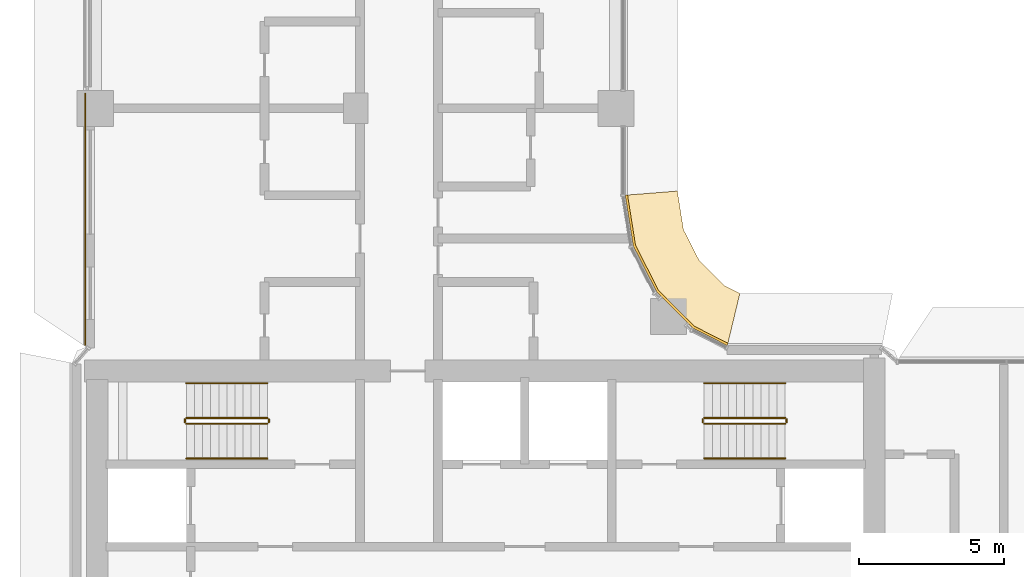
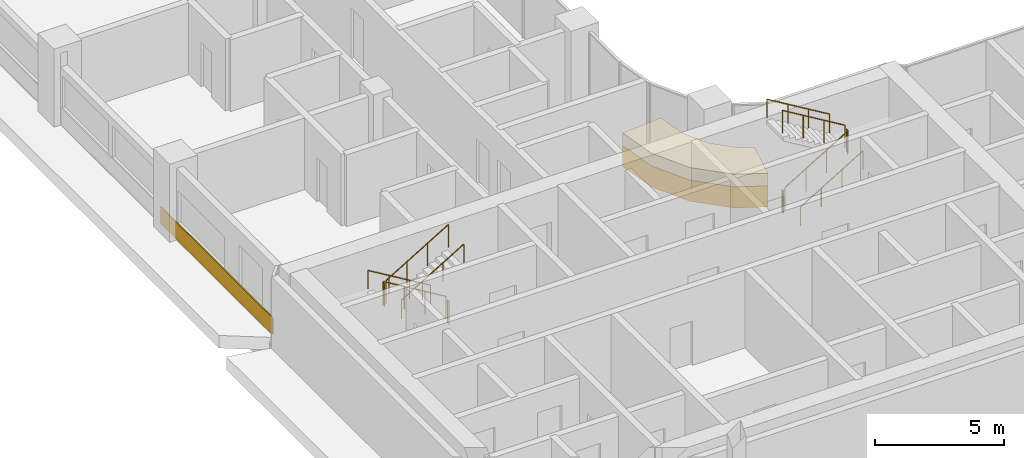
# One storey, part 26 of 33: 12 railings, 3 coverings.
"""IFC4 building model written with IfcOpenShell, lengths in metres."""

import ifcopenshell
import ifcopenshell.guid

model = None  # the IFC model being written
_history = None  # IfcOwnerHistory: only IFC2X3 demands one
_inside = {}  # id of a spatial element -> (the spatial element, [elements in it])
_under = {}  # id of a project, library or spatial element -> (it, [spatial elements below it])
_declared = {}  # id of a project -> (the project, [libraries it declares])
_typed = {}  # id of a type object -> (the type object, [elements of that type])
_made_of = {}  # id of a material, layer set ... -> (it, [elements and type objects made of it])


def new_model(schema):
    """Start an empty IFC model of exactly this schema.

    Asked for "IFC4X3", IfcOpenShell would pick the latest addendum, in which some entities
    have other attributes; the version numbers below select the first issue.
    IFC2X3 requires an IfcOwnerHistory on every rooted entity: one is made here for all.
    """
    global model, _history
    if schema == "IFC4X3":
        model = ifcopenshell.file(schema_version=(4, 3, 0, 0))
    else:
        model = ifcopenshell.file(schema=schema)
    _inside.clear()
    _under.clear()
    _declared.clear()
    _typed.clear()
    _made_of.clear()
    _history = None
    if model.schema == "IFC2X3":
        org = make("IfcOrganization", Name="unknown")
        user = make(
            "IfcPersonAndOrganization",
            ThePerson=make("IfcPerson", FamilyName="unknown"),
            TheOrganization=org,
        )
        app = make(
            "IfcApplication",
            ApplicationDeveloper=org,
            Version="unknown",
            ApplicationFullName="unknown",
            ApplicationIdentifier="unknown",
        )
        _history = make(
            "IfcOwnerHistory",
            OwningUser=user,
            OwningApplication=app,
            ChangeAction="ADDED",
            CreationDate=0,
        )
    return model


def make(cls, **values):
    """One entity of the class cls with the attributes given. An attribute that is None is left unset."""
    return model.create_entity(
        cls, **{name: value for name, value in values.items() if value is not None}
    )


def rooted(cls, **values):
    """An entity with a GlobalId (a new one), such as an element, a storey or a relation."""
    return make(cls, GlobalId=ifcopenshell.guid.new(), OwnerHistory=_history, **values)


def si_unit(unit_type, name, prefix=None):
    """IfcSIUnit, for example si_unit("LENGTHUNIT", "METRE", prefix="MILLI")."""
    return make("IfcSIUnit", UnitType=unit_type, Prefix=prefix, Name=name)


def assignment(units):
    """IfcUnitAssignment: the units of a project."""
    return None if units is None else make("IfcUnitAssignment", Units=units)


def point(xyz):
    """IfcCartesianPoint."""
    return None if xyz is None else make("IfcCartesianPoint", Coordinates=xyz)


def direction(xyz):
    """IfcDirection."""
    return None if xyz is None else make("IfcDirection", DirectionRatios=xyz)


def frame(location, z_axis=None, x_axis=None):
    """IfcAxis2Placement3D, a coordinate frame: its origin and axes. An axis left out is left unset."""
    return make(
        "IfcAxis2Placement3D",
        Location=point(location),
        Axis=direction(z_axis),
        RefDirection=direction(x_axis),
    )


def frame_2d(location, x_axis=None):
    """IfcAxis2Placement2D, a coordinate frame in the plane: its origin and x axis."""
    return make(
        "IfcAxis2Placement2D", Location=point(location), RefDirection=direction(x_axis)
    )


def origin():
    """The frame at (0, 0, 0) with its axes left unset."""
    return frame((0.0, 0.0, 0.0))


def origin_2d():
    """The frame at (0, 0) in the plane with its x axis left unset."""
    return frame_2d((0.0, 0.0))


def place(relative_to, where):
    """IfcLocalPlacement: puts the frame where relative to a parent placement (None: the world)."""
    return make(
        "IfcLocalPlacement", PlacementRelTo=relative_to, RelativePlacement=where
    )


def context(
    kind, dimensions, precision=None, world=None, true_north=None, identifier=None
):
    """IfcGeometricRepresentationContext, for example the 3D "Model" context."""
    return make(
        "IfcGeometricRepresentationContext",
        ContextIdentifier=identifier,
        ContextType=kind,
        CoordinateSpaceDimension=dimensions,
        Precision=precision,
        WorldCoordinateSystem=world,
        TrueNorth=true_north,
    )


def subcontext(parent, identifier, kind, view, scale=None):
    """IfcGeometricRepresentationSubContext, for example "Body" below "Model"."""
    return make(
        "IfcGeometricRepresentationSubContext",
        ContextIdentifier=identifier,
        ContextType=kind,
        ParentContext=parent,
        TargetScale=scale,
        TargetView=view,
    )


def project(units=None, contexts=None):
    """IfcProject with its units and contexts."""
    return rooted(
        "IfcProject",
        Name="project",
        RepresentationContexts=contexts,
        UnitsInContext=assignment(units),
    )


def spatial(cls, under=None, at=None, **own):
    """A site, building, storey or space (cls), placed at a placement, below another one or the project."""
    s = rooted(cls, ObjectPlacement=at, **own)
    if under is not None:
        _under.setdefault(under.id(), (under, []))[1].append(s)
    return s


def polyline(points):
    """IfcPolyline through the points."""
    return make("IfcPolyline", Points=[point(p) for p in points])


def profile(cls, at=None, kind="AREA", **sizes):
    """A parametric profile (cls). Its sizes go by their IFC names, for example OverallWidth=200.0."""
    return make(cls, ProfileType=kind, Position=at, **sizes)


def rectangle(**sizes):
    """IfcRectangleProfileDef."""
    return profile("IfcRectangleProfileDef", **sizes)


def circle(**sizes):
    """IfcCircleProfileDef."""
    return profile("IfcCircleProfileDef", **sizes)


def outline(outer, holes=None, kind="AREA"):
    """IfcArbitraryClosedProfileDef: a profile drawn as a closed curve; with holes, ...WithVoids."""
    if holes is None:
        return make("IfcArbitraryClosedProfileDef", ProfileType=kind, OuterCurve=outer)
    return make(
        "IfcArbitraryProfileDefWithVoids",
        ProfileType=kind,
        OuterCurve=outer,
        InnerCurves=holes,
    )


def extrude(swept, where, along, depth):
    """IfcExtrudedAreaSolid: the profile swept, set in the frame where, extruded along a direction by depth."""
    return make(
        "IfcExtrudedAreaSolid",
        SweptArea=swept,
        Position=where,
        ExtrudedDirection=direction(along),
        Depth=depth,
    )


def shape(context_of_items, identifier, shape_type, items):
    """IfcShapeRepresentation: the items that make up one representation, for example the "Body"."""
    return make(
        "IfcShapeRepresentation",
        ContextOfItems=context_of_items,
        RepresentationIdentifier=identifier,
        RepresentationType=shape_type,
        Items=items,
    )


def material(Name=None, Category=None):
    """IfcMaterial."""
    return make("IfcMaterial", Name=Name, Category=Category)


def layer(
    of_material, thickness, ventilated=None, Name=None, Category=None, Priority=None
):
    """IfcMaterialLayer: one layer of a wall or slab, of a material (None: an air gap)."""
    return make(
        "IfcMaterialLayer",
        Material=of_material,
        LayerThickness=thickness,
        IsVentilated=ventilated,
        Name=Name,
        Category=Category,
        Priority=Priority,
    )


def layer_set(layers, Name=None):
    """IfcMaterialLayerSet."""
    return make("IfcMaterialLayerSet", MaterialLayers=layers, LayerSetName=Name)


def made_of(thing, what):
    """Note that an element or type object is made of a material, layer set ...; save() writes the relation."""
    if what is not None:
        _made_of.setdefault(what.id(), (what, []))[1].append(thing)
    return thing


def type_object(cls, material=None, **own):
    """A type object (cls), such as IfcWallType, which elements share."""
    return made_of(rooted(cls, **own), material)


def element(
    cls,
    number,
    at=None,
    inside=None,
    cuts=None,
    type_object=None,
    material=None,
    context=None,
    identifier="Body",
    shape_type=None,
    held_by="IfcProductDefinitionShape",
    body=None,
    shapes=None,
    **own,
):
    """One element of the class cls, such as IfcWall. Its Tag is "e" and its number.

    at: its placement. inside: the storey or other place that contains it. cuts: it is an
    opening in that element (IfcRelVoidsElement). A single representation is given by context,
    identifier, shape_type and body (its items); several are given by shapes. held_by: the class
    of the entity that holds the representations. save() writes the other relations.
    """
    e = rooted(cls, Tag="e%d" % number, ObjectPlacement=at, **own)
    if body is not None:
        shapes = [shape(context, identifier, shape_type, body)]
    if shapes is not None:
        e.Representation = make(held_by, Representations=shapes)
    if inside is not None:
        _inside.setdefault(inside.id(), (inside, []))[1].append(e)
    if cuts is not None:
        rooted(
            "IfcRelVoidsElement", RelatingBuildingElement=cuts, RelatedOpeningElement=e
        )
    if type_object is not None:
        _typed.setdefault(type_object.id(), (type_object, []))[1].append(e)
    return made_of(e, material)


def aggregate(whole, parts):
    """IfcRelAggregates: a whole, such as a stair, and the parts it consists of."""
    return rooted("IfcRelAggregates", RelatingObject=whole, RelatedObjects=parts)


def save(model, path):
    """Write the relations noted so far, then the file.

    IfcRelAggregates (storeys below a building ...), IfcRelContainedInSpatialStructure (elements
    in a storey), IfcRelDefinesByType, IfcRelAssociatesMaterial and IfcRelDeclares: one each for
    every whole, place, type object, material and project.
    """
    for whole, parts in _under.values():
        aggregate(whole, parts)
    for where, things in _inside.values():
        rooted(
            "IfcRelContainedInSpatialStructure",
            RelatedElements=things,
            RelatingStructure=where,
        )
    for kind, things in _typed.values():
        rooted("IfcRelDefinesByType", RelatedObjects=things, RelatingType=kind)
    for what, things in _made_of.values():
        rooted("IfcRelAssociatesMaterial", RelatedObjects=things, RelatingMaterial=what)
    for by, libraries in _declared.values():
        rooted("IfcRelDeclares", RelatingContext=by, RelatedDefinitions=libraries)
    model.write(path)


model = new_model("IFC4")

# Units and contexts
model_context = context("Model", 3, precision=1e-05, world=origin(), true_north=direction((0.0, 1.0)))
body_context = subcontext(model_context, "Body", "Model", "MODEL_VIEW")
ifc_project = project(units=[si_unit("LENGTHUNIT", "METRE"), si_unit("AREAUNIT", "SQUARE_METRE"), si_unit("VOLUMEUNIT", "CUBIC_METRE"), si_unit("PLANEANGLEUNIT", "RADIAN"), si_unit("MASSUNIT", "GRAM", prefix="KILO")], contexts=[model_context])

# Site, building, storey
site_placement = place(None, origin())
site = spatial("IfcSite", under=ifc_project, at=site_placement, CompositionType="ELEMENT")
building_placement = place(site_placement, origin())
building = spatial("IfcBuilding", under=site, at=building_placement, Name="Ogive Portal Towers", CompositionType="ELEMENT")
storey_placement = place(building_placement, frame((0.0, 0.0, 98.199951171875)))
storey = spatial("IfcBuildingStorey", under=building, at=storey_placement, Name="L23", CompositionType="ELEMENT", Elevation=98.199951171875)

# Railings
ifc_material_1 = material(Name="Stainless steel balustrade", Category="steel")
railing_type_1 = type_object("IfcRailingType", Name="INT-GUARD", PredefinedType="GUARDRAIL", material=ifc_material_1)
railing_1_placement = place(storey_placement, frame((37.449951171875, 37.800048828125, 0.168212890625)))
element("IfcRailing", 1, at=railing_1_placement, inside=storey, type_object=railing_type_1, Name="L23 ST-A1 stair guard 1", PredefinedType="GUARDRAIL", context=body_context, shape_type="SweptSolid", body=[
    extrude(circle(Radius=0.02392578125, at=origin_2d()), frame((0.0, 0.0, 1.076171875), z_axis=(-0.857242210791, 0.0, 0.514913383045), x_axis=(0.0, -1.0, 0.0)), (0.0, 0.0, 1.0), 3.266357421875),
    extrude(circle(Radius=0.02099609375, at=origin_2d()), origin(), (0.0, 0.0, 1.0), 1.052001953125),
    extrude(circle(Radius=0.02099609375, at=origin_2d()), frame((-0.933349609375, 0.0, 0.560546875)), (0.0, 0.0, 1.0), 1.052001953125),
    extrude(circle(Radius=0.02099609375, at=origin_2d()), frame((-1.86669921875, 0.0, 1.121337890625)), (0.0, 0.0, 1.0), 1.052001953125),
    extrude(circle(Radius=0.02099609375, at=origin_2d()), frame((-2.800048828125, 0.0, 1.681884765625)), (0.0, 0.0, 1.0), 1.052001953125),
])
railing_2_placement = place(storey_placement, frame((34.60009765625, 37.75, 1.85009765625)))
element("IfcRailing", 2, at=railing_2_placement, inside=storey, type_object=railing_type_1, Name="L23 ST-A1 stair guard 2", PredefinedType="GUARDRAIL", context=body_context, shape_type="SweptSolid", body=[
    extrude(circle(Radius=0.02392578125, at=origin_2d()), frame((0.0, 0.0, 1.076171875), z_axis=(0.0, -1.0, 0.0), x_axis=(1.0, 0.0, 0.0)), (0.0, 0.0, 1.0), 0.10009765625),
    extrude(circle(Radius=0.02099609375, at=origin_2d()), origin(), (0.0, 0.0, 1.0), 1.052001953125),
    extrude(circle(Radius=0.02099609375, at=origin_2d()), frame((0.0, -0.10009765625, 0.0)), (0.0, 0.0, 1.0), 1.052001953125),
])
railing_3_placement = place(storey_placement, frame((34.64990234375, 37.60009765625, 2.018310546875)))
element("IfcRailing", 3, at=railing_3_placement, inside=storey, type_object=railing_type_1, Name="L23 ST-A1 stair guard 3", PredefinedType="GUARDRAIL", context=body_context, shape_type="SweptSolid", body=[
    extrude(circle(Radius=0.02392578125, at=origin_2d()), frame((0.0, 0.0, 1.076171875), z_axis=(0.857275202839, 0.0, 0.514858452973), x_axis=(0.0, 1.0, 0.0)), (0.0, 0.0, 1.0), 3.26611328125),
    extrude(circle(Radius=0.02099609375, at=origin_2d()), origin(), (0.0, 0.0, 1.0), 1.052001953125),
    extrude(circle(Radius=0.02099609375, at=origin_2d()), frame((0.933349609375, 0.0, 0.560546875)), (0.0, 0.0, 1.0), 1.052001953125),
    extrude(circle(Radius=0.02099609375, at=origin_2d()), frame((1.86669921875, 0.0, 1.12109375)), (0.0, 0.0, 1.0), 1.052001953125),
    extrude(circle(Radius=0.02099609375, at=origin_2d()), frame((2.800048828125, 0.0, 1.681640625)), (0.0, 0.0, 1.0), 1.052001953125),
])
railing_4_placement = place(storey_placement, frame((37.5, 37.75, 0.0)))
element("IfcRailing", 4, at=railing_4_placement, inside=storey, type_object=railing_type_1, Name="L23 ST-A1 stair guard 4", PredefinedType="GUARDRAIL", context=body_context, shape_type="SweptSolid", body=[
    extrude(circle(Radius=0.02392578125, at=origin_2d()), frame((0.0, 0.0, 1.076171875), z_axis=(0.0, -1.0, 0.0), x_axis=(1.0, 0.0, 0.0)), (0.0, 0.0, 1.0), 0.10009765625),
    extrude(circle(Radius=0.02099609375, at=origin_2d()), origin(), (0.0, 0.0, 1.0), 1.052001953125),
    extrude(circle(Radius=0.02099609375, at=origin_2d()), frame((0.0, -0.10009765625, 0.0)), (0.0, 0.0, 1.0), 1.052001953125),
])
railing_5_placement = place(storey_placement, frame((52.550048828125, 37.60009765625, 0.168212890625)))
element("IfcRailing", 5, at=railing_5_placement, inside=storey, type_object=railing_type_1, Name="L23 ST-A2 stair guard 1", PredefinedType="GUARDRAIL", context=body_context, shape_type="SweptSolid", body=[
    extrude(circle(Radius=0.02392578125, at=origin_2d()), frame((0.0, 0.0, 1.076171875), z_axis=(0.857242210791, 0.0, 0.514913383045), x_axis=(0.0, 1.0, 0.0)), (0.0, 0.0, 1.0), 3.266357421875),
    extrude(circle(Radius=0.02099609375, at=origin_2d()), origin(), (0.0, 0.0, 1.0), 1.052001953125),
    extrude(circle(Radius=0.02099609375, at=origin_2d()), frame((0.933349609375, 0.0, 0.560546875)), (0.0, 0.0, 1.0), 1.052001953125),
    extrude(circle(Radius=0.02099609375, at=origin_2d()), frame((1.86669921875, 0.0, 1.121337890625)), (0.0, 0.0, 1.0), 1.052001953125),
    extrude(circle(Radius=0.02099609375, at=origin_2d()), frame((2.800048828125, 0.0, 1.681884765625)), (0.0, 0.0, 1.0), 1.052001953125),
])
railing_6_placement = place(storey_placement, frame((55.39990234375, 37.64990234375, 1.85009765625)))
element("IfcRailing", 6, at=railing_6_placement, inside=storey, type_object=railing_type_1, Name="L23 ST-A2 stair guard 2", PredefinedType="GUARDRAIL", context=body_context, shape_type="SweptSolid", body=[
    extrude(circle(Radius=0.02392578125, at=origin_2d()), frame((0.0, 0.0, 1.076171875), z_axis=(0.0, 1.0, 0.0), x_axis=(-1.0, 0.0, 0.0)), (0.0, 0.0, 1.0), 0.10009765625),
    extrude(circle(Radius=0.02099609375, at=origin_2d()), origin(), (0.0, 0.0, 1.0), 1.052001953125),
    extrude(circle(Radius=0.02099609375, at=origin_2d()), frame((0.0, 0.10009765625, 0.0)), (0.0, 0.0, 1.0), 1.052001953125),
])
railing_7_placement = place(storey_placement, frame((55.35009765625, 37.800048828125, 2.018310546875)))
element("IfcRailing", 7, at=railing_7_placement, inside=storey, type_object=railing_type_1, Name="L23 ST-A2 stair guard 3", PredefinedType="GUARDRAIL", context=body_context, shape_type="SweptSolid", body=[
    extrude(circle(Radius=0.02392578125, at=origin_2d()), frame((0.0, 0.0, 1.076171875), z_axis=(-0.857275202839, 0.0, 0.514858452973), x_axis=(0.0, -1.0, 0.0)), (0.0, 0.0, 1.0), 3.26611328125),
    extrude(circle(Radius=0.02099609375, at=origin_2d()), origin(), (0.0, 0.0, 1.0), 1.052001953125),
    extrude(circle(Radius=0.02099609375, at=origin_2d()), frame((-0.933349609375, 0.0, 0.560546875)), (0.0, 0.0, 1.0), 1.052001953125),
    extrude(circle(Radius=0.02099609375, at=origin_2d()), frame((-1.86669921875, 0.0, 1.12109375)), (0.0, 0.0, 1.0), 1.052001953125),
    extrude(circle(Radius=0.02099609375, at=origin_2d()), frame((-2.800048828125, 0.0, 1.681640625)), (0.0, 0.0, 1.0), 1.052001953125),
])
railing_8_placement = place(storey_placement, frame((52.5, 37.64990234375, 0.0)))
element("IfcRailing", 8, at=railing_8_placement, inside=storey, type_object=railing_type_1, Name="L23 ST-A2 stair guard 4", PredefinedType="GUARDRAIL", context=body_context, shape_type="SweptSolid", body=[
    extrude(circle(Radius=0.02392578125, at=origin_2d()), frame((0.0, 0.0, 1.076171875), z_axis=(0.0, 1.0, 0.0), x_axis=(-1.0, 0.0, 0.0)), (0.0, 0.0, 1.0), 0.10009765625),
    extrude(circle(Radius=0.02099609375, at=origin_2d()), origin(), (0.0, 0.0, 1.0), 1.052001953125),
    extrude(circle(Radius=0.02099609375, at=origin_2d()), frame((0.0, 0.10009765625, 0.0)), (0.0, 0.0, 1.0), 1.052001953125),
])
ifc_material_2 = material(Name="Stainless steel handrail", Category="steel")
railing_type_2 = type_object("IfcRailingType", Name="INT-HANDRAIL", PredefinedType="HANDRAIL", material=ifc_material_2)
railing_9_placement = place(storey_placement, frame((37.449951171875, 39.0, 0.168212890625)))
element("IfcRailing", 9, at=railing_9_placement, inside=storey, type_object=railing_type_2, Name="L23 ST-A1 stair handrail 1", PredefinedType="HANDRAIL", context=body_context, shape_type="SweptSolid", body=[
    extrude(circle(Radius=0.02392578125, at=origin_2d()), frame((0.0, 0.0, 0.8759765625), z_axis=(-0.857242210791, 0.0, 0.514913383045), x_axis=(0.0, -1.0, 0.0)), (0.0, 0.0, 1.0), 3.266357421875),
    extrude(circle(Radius=0.02099609375, at=origin_2d()), origin(), (0.0, 0.0, 1.0), 0.851806640625),
    extrude(circle(Radius=0.02099609375, at=origin_2d()), frame((-0.933349609375, 0.0, 0.560546875)), (0.0, 0.0, 1.0), 0.851806640625),
    extrude(circle(Radius=0.02099609375, at=origin_2d()), frame((-1.86669921875, 0.0, 1.121337890625)), (0.0, 0.0, 1.0), 0.851806640625),
    extrude(circle(Radius=0.02099609375, at=origin_2d()), frame((-2.800048828125, 0.0, 1.681884765625)), (0.0, 0.0, 1.0), 0.851806640625),
])
railing_10_placement = place(storey_placement, frame((34.64990234375, 36.39990234375, 2.018310546875)))
element("IfcRailing", 10, at=railing_10_placement, inside=storey, type_object=railing_type_2, Name="L23 ST-A1 stair handrail 2", PredefinedType="HANDRAIL", context=body_context, shape_type="SweptSolid", body=[
    extrude(circle(Radius=0.02392578125, at=origin_2d()), frame((0.0, 0.0, 0.8759765625), z_axis=(0.857275202839, 0.0, 0.514858452973), x_axis=(0.0, 1.0, 0.0)), (0.0, 0.0, 1.0), 3.26611328125),
    extrude(circle(Radius=0.02099609375, at=origin_2d()), origin(), (0.0, 0.0, 1.0), 0.851806640625),
    extrude(circle(Radius=0.02099609375, at=origin_2d()), frame((0.933349609375, 0.0, 0.560546875)), (0.0, 0.0, 1.0), 0.851806640625),
    extrude(circle(Radius=0.02099609375, at=origin_2d()), frame((1.86669921875, 0.0, 1.12109375)), (0.0, 0.0, 1.0), 0.851806640625),
    extrude(circle(Radius=0.02099609375, at=origin_2d()), frame((2.800048828125, 0.0, 1.681640625)), (0.0, 0.0, 1.0), 0.851806640625),
])
railing_11_placement = place(storey_placement, frame((52.550048828125, 36.39990234375, 0.168212890625)))
element("IfcRailing", 11, at=railing_11_placement, inside=storey, type_object=railing_type_2, Name="L23 ST-A2 stair handrail 1", PredefinedType="HANDRAIL", context=body_context, shape_type="SweptSolid", body=[
    extrude(circle(Radius=0.02392578125, at=origin_2d()), frame((0.0, 0.0, 0.8759765625), z_axis=(0.857242210791, 0.0, 0.514913383045), x_axis=(0.0, 1.0, 0.0)), (0.0, 0.0, 1.0), 3.266357421875),
    extrude(circle(Radius=0.02099609375, at=origin_2d()), origin(), (0.0, 0.0, 1.0), 0.851806640625),
    extrude(circle(Radius=0.02099609375, at=origin_2d()), frame((0.933349609375, 0.0, 0.560546875)), (0.0, 0.0, 1.0), 0.851806640625),
    extrude(circle(Radius=0.02099609375, at=origin_2d()), frame((1.86669921875, 0.0, 1.121337890625)), (0.0, 0.0, 1.0), 0.851806640625),
    extrude(circle(Radius=0.02099609375, at=origin_2d()), frame((2.800048828125, 0.0, 1.681884765625)), (0.0, 0.0, 1.0), 0.851806640625),
])
railing_12_placement = place(storey_placement, frame((55.35009765625, 39.0, 2.018310546875)))
element("IfcRailing", 12, at=railing_12_placement, inside=storey, type_object=railing_type_2, Name="L23 ST-A2 stair handrail 2", PredefinedType="HANDRAIL", context=body_context, shape_type="SweptSolid", body=[
    extrude(circle(Radius=0.02392578125, at=origin_2d()), frame((0.0, 0.0, 0.8759765625), z_axis=(-0.857275202839, 0.0, 0.514858452973), x_axis=(0.0, -1.0, 0.0)), (0.0, 0.0, 1.0), 3.26611328125),
    extrude(circle(Radius=0.02099609375, at=origin_2d()), origin(), (0.0, 0.0, 1.0), 0.851806640625),
    extrude(circle(Radius=0.02099609375, at=origin_2d()), frame((-0.933349609375, 0.0, 0.560546875)), (0.0, 0.0, 1.0), 0.851806640625),
    extrude(circle(Radius=0.02099609375, at=origin_2d()), frame((-1.86669921875, 0.0, 1.12109375)), (0.0, 0.0, 1.0), 0.851806640625),
    extrude(circle(Radius=0.02099609375, at=origin_2d()), frame((-2.800048828125, 0.0, 1.681640625)), (0.0, 0.0, 1.0), 0.851806640625),
])

# Coverings
ifc_material_3 = material(Name="Limestone cladding on lightweight block wall", Category="masonry")
ifc_layer_1 = layer(ifc_material_3, 0.050048828125)
ifc_layer_set_1 = layer_set([ifc_layer_1], Name="SCREEN PERFORATED STONE")
covering_type_1 = type_object("IfcCoveringType", Name="SCREEN PERFORATED STONE", PredefinedType="CLADDING", material=ifc_layer_set_1)
covering_1_placement = place(storey_placement, frame((31.155029296875, 44.672607421875, 0.10009765625), z_axis=(0.0, 0.0, 1.0), x_axis=(0.0, -1.0, 0.0)))
element("IfcCovering", 13, at=covering_1_placement, inside=storey, type_object=covering_type_1, Name="Tracery screen", PredefinedType="CLADDING", context=body_context, shape_type="SweptSolid", body=[
    extrude(rectangle(XDim=8.70458984375, YDim=0.050048828125, at=origin_2d()), origin(), (0.0, 0.0, 1.0), 0.800048828125),
])
ifc_layer_2 = layer(ifc_material_3, 0.080078125)
ifc_layer_set_2 = layer_set([ifc_layer_2], Name="STONE SPANDREL 80")
covering_type_2 = type_object("IfcCoveringType", Name="STONE SPANDREL 80", PredefinedType="CLADDING", material=ifc_layer_set_2)
covering_2_placement = place(storey_placement, frame((0.0, 0.0, -1.599853515625)))
element("IfcCovering", 14, at=covering_2_placement, inside=storey, type_object=covering_type_2, Name="Stone spandrel A1-F03", PredefinedType="CLADDING", context=body_context, shape_type="SweptSolid", body=[
    extrude(outline(polyline([(53.348388671875, 40.300048828125), (52.161376953125, 40.90478515625), (50.90478515625, 42.161376953125), (50.097900390625, 43.744873046875), (49.820068359375, 45.5), (49.89990234375, 45.50634765625), (50.175048828125, 43.769775390625), (50.97021484375, 42.208984375), (52.208984375, 40.97021484375), (53.367431640625, 40.3798828125), (53.348388671875, 40.300048828125)])), origin(), (0.0, 0.0, 1.0), 1.0),
])
ifc_layer_3 = layer(ifc_material_3, 0.60009765625)
ifc_layer_set_3 = layer_set([ifc_layer_3], Name="SUNSHADE LIP 600")
covering_type_3 = type_object("IfcCoveringType", Name="SUNSHADE LIP 600", PredefinedType="CLADDING", material=ifc_layer_set_3)
covering_3_placement = place(storey_placement, frame((0.0, 0.0, -0.599853515625)))
element("IfcCovering", 15, at=covering_3_placement, inside=storey, type_object=covering_type_3, Name="Sunshade lip A1-F03", PredefinedType="CLADDING", context=body_context, shape_type="SweptSolid", body=[
    extrude(outline(polyline([(53.348388671875, 40.300048828125), (52.161376953125, 40.90478515625), (50.90478515625, 42.161376953125), (50.097900390625, 43.744873046875), (49.820068359375, 45.5), (51.6201171875, 45.6416015625), (51.831298828125, 44.307861328125), (52.379150390625, 43.232666015625), (53.232666015625, 42.379150390625), (53.780517578125, 42.10009765625), (53.348388671875, 40.300048828125)])), origin(), (0.0, 0.0, 1.0), 0.599853515625),
])

save(model, "model.ifc")
